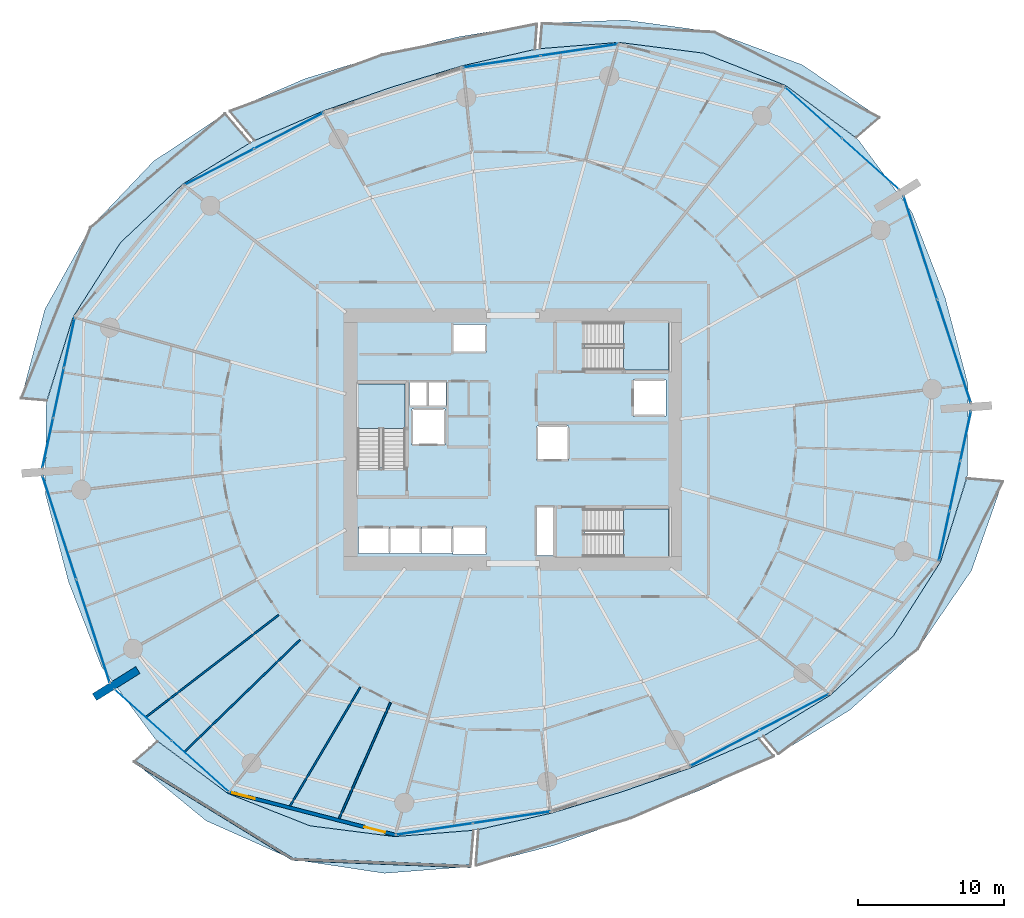
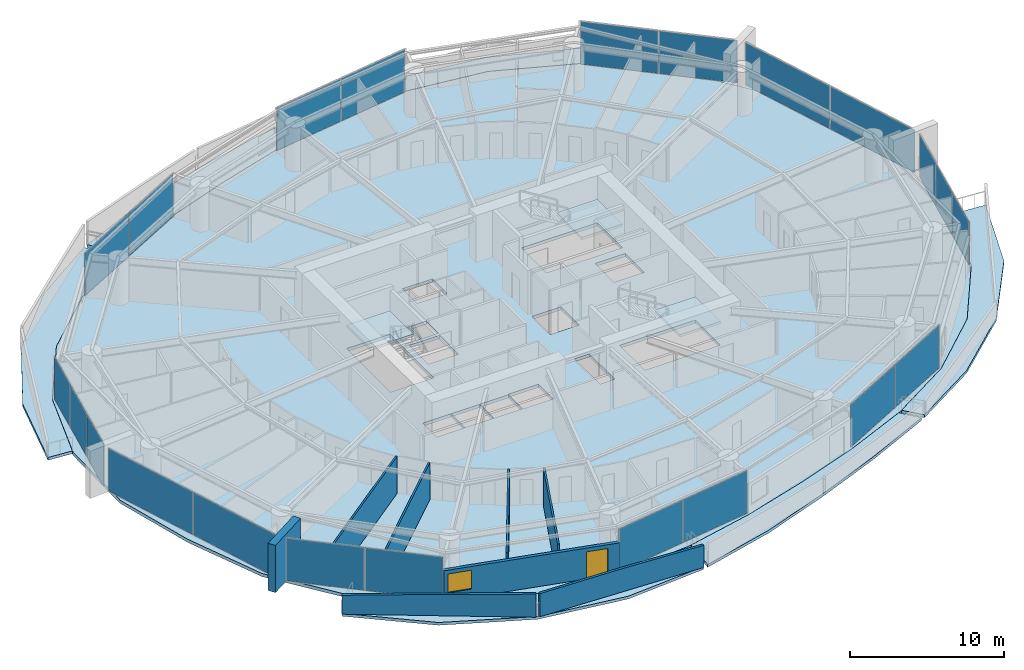
# One storey, part 18 of 31: 22 plates, 10 slabs, 8 walls, 1 door, 1 window, 2 openings, 13 elements without a shape of their own.
"""IFC4 building model written with IfcOpenShell, lengths in metres."""

import ifcopenshell
import ifcopenshell.guid

model = None  # the IFC model being written
_history = None  # IfcOwnerHistory: only IFC2X3 demands one
_inside = {}  # id of a spatial element -> (the spatial element, [elements in it])
_under = {}  # id of a project, library or spatial element -> (it, [spatial elements below it])
_declared = {}  # id of a project -> (the project, [libraries it declares])
_typed = {}  # id of a type object -> (the type object, [elements of that type])
_made_of = {}  # id of a material, layer set ... -> (it, [elements and type objects made of it])


def new_model(schema):
    """Start an empty IFC model of exactly this schema.

    Asked for "IFC4X3", IfcOpenShell would pick the latest addendum, in which some entities
    have other attributes; the version numbers below select the first issue.
    IFC2X3 requires an IfcOwnerHistory on every rooted entity: one is made here for all.
    """
    global model, _history
    if schema == "IFC4X3":
        model = ifcopenshell.file(schema_version=(4, 3, 0, 0))
    else:
        model = ifcopenshell.file(schema=schema)
    _inside.clear()
    _under.clear()
    _declared.clear()
    _typed.clear()
    _made_of.clear()
    _history = None
    if model.schema == "IFC2X3":
        org = make("IfcOrganization", Name="unknown")
        user = make(
            "IfcPersonAndOrganization",
            ThePerson=make("IfcPerson", FamilyName="unknown"),
            TheOrganization=org,
        )
        app = make(
            "IfcApplication",
            ApplicationDeveloper=org,
            Version="unknown",
            ApplicationFullName="unknown",
            ApplicationIdentifier="unknown",
        )
        _history = make(
            "IfcOwnerHistory",
            OwningUser=user,
            OwningApplication=app,
            ChangeAction="ADDED",
            CreationDate=0,
        )
    return model


def make(cls, **values):
    """One entity of the class cls with the attributes given. An attribute that is None is left unset."""
    return model.create_entity(
        cls, **{name: value for name, value in values.items() if value is not None}
    )


def rooted(cls, **values):
    """An entity with a GlobalId (a new one), such as an element, a storey or a relation."""
    return make(cls, GlobalId=ifcopenshell.guid.new(), OwnerHistory=_history, **values)


def si_unit(unit_type, name, prefix=None):
    """IfcSIUnit, for example si_unit("LENGTHUNIT", "METRE", prefix="MILLI")."""
    return make("IfcSIUnit", UnitType=unit_type, Prefix=prefix, Name=name)


def assignment(units):
    """IfcUnitAssignment: the units of a project."""
    return None if units is None else make("IfcUnitAssignment", Units=units)


def point(xyz):
    """IfcCartesianPoint."""
    return None if xyz is None else make("IfcCartesianPoint", Coordinates=xyz)


def direction(xyz):
    """IfcDirection."""
    return None if xyz is None else make("IfcDirection", DirectionRatios=xyz)


def frame(location, z_axis=None, x_axis=None):
    """IfcAxis2Placement3D, a coordinate frame: its origin and axes. An axis left out is left unset."""
    return make(
        "IfcAxis2Placement3D",
        Location=point(location),
        Axis=direction(z_axis),
        RefDirection=direction(x_axis),
    )


def frame_2d(location, x_axis=None):
    """IfcAxis2Placement2D, a coordinate frame in the plane: its origin and x axis."""
    return make(
        "IfcAxis2Placement2D", Location=point(location), RefDirection=direction(x_axis)
    )


def origin():
    """The frame at (0, 0, 0) with its axes left unset."""
    return frame((0.0, 0.0, 0.0))


def origin_2d():
    """The frame at (0, 0) in the plane with its x axis left unset."""
    return frame_2d((0.0, 0.0))


def place(relative_to, where):
    """IfcLocalPlacement: puts the frame where relative to a parent placement (None: the world)."""
    return make(
        "IfcLocalPlacement", PlacementRelTo=relative_to, RelativePlacement=where
    )


def context(
    kind, dimensions, precision=None, world=None, true_north=None, identifier=None
):
    """IfcGeometricRepresentationContext, for example the 3D "Model" context."""
    return make(
        "IfcGeometricRepresentationContext",
        ContextIdentifier=identifier,
        ContextType=kind,
        CoordinateSpaceDimension=dimensions,
        Precision=precision,
        WorldCoordinateSystem=world,
        TrueNorth=true_north,
    )


def subcontext(parent, identifier, kind, view, scale=None):
    """IfcGeometricRepresentationSubContext, for example "Body" below "Model"."""
    return make(
        "IfcGeometricRepresentationSubContext",
        ContextIdentifier=identifier,
        ContextType=kind,
        ParentContext=parent,
        TargetScale=scale,
        TargetView=view,
    )


def project(units=None, contexts=None):
    """IfcProject with its units and contexts."""
    return rooted(
        "IfcProject",
        Name="project",
        RepresentationContexts=contexts,
        UnitsInContext=assignment(units),
    )


def spatial(cls, under=None, at=None, **own):
    """A site, building, storey or space (cls), placed at a placement, below another one or the project."""
    s = rooted(cls, ObjectPlacement=at, **own)
    if under is not None:
        _under.setdefault(under.id(), (under, []))[1].append(s)
    return s


def polyline(points):
    """IfcPolyline through the points."""
    return make("IfcPolyline", Points=[point(p) for p in points])


def profile(cls, at=None, kind="AREA", **sizes):
    """A parametric profile (cls). Its sizes go by their IFC names, for example OverallWidth=200.0."""
    return make(cls, ProfileType=kind, Position=at, **sizes)


def rectangle(**sizes):
    """IfcRectangleProfileDef."""
    return profile("IfcRectangleProfileDef", **sizes)


def outline(outer, holes=None, kind="AREA"):
    """IfcArbitraryClosedProfileDef: a profile drawn as a closed curve; with holes, ...WithVoids."""
    if holes is None:
        return make("IfcArbitraryClosedProfileDef", ProfileType=kind, OuterCurve=outer)
    return make(
        "IfcArbitraryProfileDefWithVoids",
        ProfileType=kind,
        OuterCurve=outer,
        InnerCurves=holes,
    )


def extrude(swept, where, along, depth):
    """IfcExtrudedAreaSolid: the profile swept, set in the frame where, extruded along a direction by depth."""
    return make(
        "IfcExtrudedAreaSolid",
        SweptArea=swept,
        Position=where,
        ExtrudedDirection=direction(along),
        Depth=depth,
    )


def shape(context_of_items, identifier, shape_type, items):
    """IfcShapeRepresentation: the items that make up one representation, for example the "Body"."""
    return make(
        "IfcShapeRepresentation",
        ContextOfItems=context_of_items,
        RepresentationIdentifier=identifier,
        RepresentationType=shape_type,
        Items=items,
    )


def material(Name=None, Category=None):
    """IfcMaterial."""
    return make("IfcMaterial", Name=Name, Category=Category)


def layer(
    of_material, thickness, ventilated=None, Name=None, Category=None, Priority=None
):
    """IfcMaterialLayer: one layer of a wall or slab, of a material (None: an air gap)."""
    return make(
        "IfcMaterialLayer",
        Material=of_material,
        LayerThickness=thickness,
        IsVentilated=ventilated,
        Name=Name,
        Category=Category,
        Priority=Priority,
    )


def layer_set(layers, Name=None):
    """IfcMaterialLayerSet."""
    return make("IfcMaterialLayerSet", MaterialLayers=layers, LayerSetName=Name)


def made_of(thing, what):
    """Note that an element or type object is made of a material, layer set ...; save() writes the relation."""
    if what is not None:
        _made_of.setdefault(what.id(), (what, []))[1].append(thing)
    return thing


def type_object(cls, material=None, **own):
    """A type object (cls), such as IfcWallType, which elements share."""
    return made_of(rooted(cls, **own), material)


def element(
    cls,
    number,
    at=None,
    inside=None,
    cuts=None,
    type_object=None,
    material=None,
    context=None,
    identifier="Body",
    shape_type=None,
    held_by="IfcProductDefinitionShape",
    body=None,
    shapes=None,
    **own,
):
    """One element of the class cls, such as IfcWall. Its Tag is "e" and its number.

    at: its placement. inside: the storey or other place that contains it. cuts: it is an
    opening in that element (IfcRelVoidsElement). A single representation is given by context,
    identifier, shape_type and body (its items); several are given by shapes. held_by: the class
    of the entity that holds the representations. save() writes the other relations.
    """
    e = rooted(cls, Tag="e%d" % number, ObjectPlacement=at, **own)
    if body is not None:
        shapes = [shape(context, identifier, shape_type, body)]
    if shapes is not None:
        e.Representation = make(held_by, Representations=shapes)
    if inside is not None:
        _inside.setdefault(inside.id(), (inside, []))[1].append(e)
    if cuts is not None:
        rooted(
            "IfcRelVoidsElement", RelatingBuildingElement=cuts, RelatedOpeningElement=e
        )
    if type_object is not None:
        _typed.setdefault(type_object.id(), (type_object, []))[1].append(e)
    return made_of(e, material)


def fill(opening, filler):
    """IfcRelFillsElement: the door or window that sits in an opening."""
    return rooted(
        "IfcRelFillsElement",
        RelatingOpeningElement=opening,
        RelatedBuildingElement=filler,
    )


def aggregate(whole, parts):
    """IfcRelAggregates: a whole, such as a stair, and the parts it consists of."""
    return rooted("IfcRelAggregates", RelatingObject=whole, RelatedObjects=parts)


def save(model, path):
    """Write the relations noted so far, then the file.

    IfcRelAggregates (storeys below a building ...), IfcRelContainedInSpatialStructure (elements
    in a storey), IfcRelDefinesByType, IfcRelAssociatesMaterial and IfcRelDeclares: one each for
    every whole, place, type object, material and project.
    """
    for whole, parts in _under.values():
        aggregate(whole, parts)
    for where, things in _inside.values():
        rooted(
            "IfcRelContainedInSpatialStructure",
            RelatedElements=things,
            RelatingStructure=where,
        )
    for kind, things in _typed.values():
        rooted("IfcRelDefinesByType", RelatedObjects=things, RelatingType=kind)
    for what, things in _made_of.values():
        rooted("IfcRelAssociatesMaterial", RelatedObjects=things, RelatingMaterial=what)
    for by, libraries in _declared.values():
        rooted("IfcRelDeclares", RelatingContext=by, RelatedDefinitions=libraries)
    model.write(path)


model = new_model("IFC4")

# Units and contexts
model_context = context("Model", 3, precision=1e-05, world=origin(), true_north=direction((0.0, 1.0)))
body_context = subcontext(model_context, "Body", "Model", "MODEL_VIEW")
ifc_project = project(units=[si_unit("LENGTHUNIT", "METRE"), si_unit("AREAUNIT", "SQUARE_METRE"), si_unit("VOLUMEUNIT", "CUBIC_METRE"), si_unit("PLANEANGLEUNIT", "RADIAN"), si_unit("MASSUNIT", "GRAM", prefix="KILO")], contexts=[model_context])

# Site, building, storey
site_placement = place(None, origin())
site = spatial("IfcSite", under=ifc_project, at=site_placement, CompositionType="ELEMENT")
building_placement = place(site_placement, origin())
building = spatial("IfcBuilding", under=site, at=building_placement, Name="Kazma Halo Residences", CompositionType="ELEMENT")
storey_placement = place(building_placement, frame((0.0, 0.0, 52.64990234375)))
storey = spatial("IfcBuildingStorey", under=building, at=storey_placement, Name="L12", CompositionType="ELEMENT", Elevation=52.64990234375)

# Curtain wall, plates
ifc_material_1 = material(Name="Aluminium AW-6063 T6 and Triple-Silver Low-E Glass", Category="aluminium")
ifc_layer_1 = layer(ifc_material_1, 0.159912109375)
ifc_layer_set_1 = layer_set([ifc_layer_1], Name="Aluminium AW-6063 T6 and Triple-Silver Low-E Glass")
curtain_wall_type = type_object("IfcCurtainWallType", Name="CW-SYS-2", PredefinedType="NOTDEFINED", material=ifc_layer_set_1)
curtain_wall_1_placement = place(storey_placement, origin())
curtain_wall_1 = element("IfcCurtainWall", 1, at=curtain_wall_1_placement, inside=storey, type_object=curtain_wall_type, Name="L12 unitised curtain wall B01", PredefinedType="NOTDEFINED")
ifc_material_2 = material(Name="Clear Triple-Silver Low-E Glass IGU", Category="glass")
ifc_layer_2 = layer(ifc_material_2, 0.028076171875)
ifc_layer_set_2 = layer_set([ifc_layer_2], Name="Clear Triple-Silver Low-E Glass IGU")
plate_type = type_object("IfcPlateType", Name="CW-SYS-2-PNL", PredefinedType="CURTAIN_PANEL", material=ifc_layer_set_2)
plate_1_placement = place(storey_placement, frame((72.876953125, 60.841064453125, 0.06005859375), z_axis=(0.0, 0.0, 1.0), x_axis=(-0.744321506993, 0.667821453854, 0.0)))
plate_1 = element("IfcPlate", 2, at=plate_1_placement, type_object=plate_type, Name="CWS-2 panel 1.1", PredefinedType="CURTAIN_PANEL", context=body_context, shape_type="SweptSolid", body=[
    extrude(rectangle(XDim=5.1787109375, YDim=0.028076171875, at=origin_2d()), origin(), (0.0, 0.0, 1.0), 3.3798828125),
])
plate_2_placement = place(storey_placement, frame((68.977783203125, 64.33935546875, 0.06005859375), z_axis=(0.0, 0.0, 1.0), x_axis=(-0.744321506993, 0.667821453854, 0.0)))
plate_2 = element("IfcPlate", 3, at=plate_2_placement, type_object=plate_type, Name="CWS-2 panel 2.1", PredefinedType="CURTAIN_PANEL", context=body_context, shape_type="SweptSolid", body=[
    extrude(rectangle(XDim=5.1787109375, YDim=0.028076171875, at=origin_2d()), origin(), (0.0, 0.0, 1.0), 3.3798828125),
])
aggregate(curtain_wall_1, [plate_1, plate_2])

curtain_wall_2_placement = place(storey_placement, origin())
curtain_wall_2 = element("IfcCurtainWall", 4, at=curtain_wall_2_placement, inside=storey, type_object=curtain_wall_type, Name="L12 unitised curtain wall B03", PredefinedType="NOTDEFINED")
plate_3_placement = place(storey_placement, frame((52.952392578125, 68.64013671875, 0.06005859375), z_axis=(0.0, 0.0, 1.0), x_axis=(-0.988888777994, -0.148657272805, 0.0)))
plate_3 = element("IfcPlate", 5, at=plate_3_placement, type_object=plate_type, Name="CWS-2 panel 1.1", PredefinedType="CURTAIN_PANEL", context=body_context, shape_type="SweptSolid", body=[
    extrude(rectangle(XDim=5.288818359375, YDim=0.028076171875, at=origin_2d()), origin(), (0.0, 0.0, 1.0), 3.3798828125),
])
plate_4_placement = place(storey_placement, frame((47.662841796875, 67.844970703125, 0.06005859375), z_axis=(0.0, 0.0, 1.0), x_axis=(-0.988888777994, -0.148657272805, 0.0)))
plate_4 = element("IfcPlate", 6, at=plate_4_placement, type_object=plate_type, Name="CWS-2 panel 2.1", PredefinedType="CURTAIN_PANEL", context=body_context, shape_type="SweptSolid", body=[
    extrude(rectangle(XDim=5.288818359375, YDim=0.028076171875, at=origin_2d()), origin(), (0.0, 0.0, 1.0), 3.3798828125),
])
aggregate(curtain_wall_2, [plate_3, plate_4])

curtain_wall_3_placement = place(storey_placement, origin())
curtain_wall_3 = element("IfcCurtainWall", 7, at=curtain_wall_3_placement, inside=storey, type_object=curtain_wall_type, Name="L12 unitised curtain wall B05", PredefinedType="NOTDEFINED")
plate_5_placement = place(storey_placement, frame((33.081298828125, 63.107177734375, 0.06005859375), z_axis=(0.0, 0.0, 1.0), x_axis=(-0.887402258584, -0.460995912628, 0.0)))
plate_5 = element("IfcPlate", 8, at=plate_5_placement, type_object=plate_type, Name="CWS-2 panel 1.1", PredefinedType="CURTAIN_PANEL", context=body_context, shape_type="SweptSolid", body=[
    extrude(rectangle(XDim=5.288818359375, YDim=0.028076171875, at=origin_2d()), origin(), (0.0, 0.0, 1.0), 3.3798828125),
])
plate_6_placement = place(storey_placement, frame((28.334716796875, 60.641357421875, 0.06005859375), z_axis=(0.0, 0.0, 1.0), x_axis=(-0.887402258584, -0.460995912628, 0.0)))
plate_6 = element("IfcPlate", 9, at=plate_6_placement, type_object=plate_type, Name="CWS-2 panel 2.1", PredefinedType="CURTAIN_PANEL", context=body_context, shape_type="SweptSolid", body=[
    extrude(rectangle(XDim=5.288818359375, YDim=0.028076171875, at=origin_2d()), origin(), (0.0, 0.0, 1.0), 3.3798828125),
])
aggregate(curtain_wall_3, [plate_5, plate_6])

curtain_wall_4_placement = place(storey_placement, origin())
curtain_wall_4 = element("IfcCurtainWall", 10, at=curtain_wall_4_placement, inside=storey, type_object=curtain_wall_type, Name="L12 unitised curtain wall B07", PredefinedType="NOTDEFINED")
plate_7_placement = place(storey_placement, frame((18.08203125, 48.60107421875, 0.06005859375), z_axis=(0.0, 0.0, 1.0), x_axis=(-0.209637321406, -0.977779215096, 0.0)))
plate_7 = element("IfcPlate", 11, at=plate_7_placement, type_object=plate_type, Name="CWS-2 panel 1.1", PredefinedType="CURTAIN_PANEL", context=body_context, shape_type="SweptSolid", body=[
    extrude(rectangle(XDim=3.42236328125, YDim=0.028076171875, at=origin_2d()), origin(), (0.0, 0.0, 1.0), 3.3798828125),
])
plate_8_placement = place(storey_placement, frame((17.348876953125, 45.181396484375, 0.06005859375), z_axis=(0.0, 0.0, 1.0), x_axis=(-0.209637321406, -0.977779215096, 0.0)))
plate_8 = element("IfcPlate", 12, at=plate_8_placement, type_object=plate_type, Name="CWS-2 panel 2.1", PredefinedType="CURTAIN_PANEL", context=body_context, shape_type="SweptSolid", body=[
    extrude(rectangle(XDim=3.452392578125, YDim=0.028076171875, at=origin_2d()), origin(), (0.0, 0.0, 1.0), 3.3798828125),
])
plate_9_placement = place(storey_placement, frame((16.61572265625, 41.76171875, 0.06005859375), z_axis=(0.0, 0.0, 1.0), x_axis=(-0.209637321406, -0.977779215096, 0.0)))
plate_9 = element("IfcPlate", 13, at=plate_9_placement, type_object=plate_type, Name="CWS-2 panel 3.1", PredefinedType="CURTAIN_PANEL", context=body_context, shape_type="SweptSolid", body=[
    extrude(rectangle(XDim=3.42236328125, YDim=0.028076171875, at=origin_2d()), origin(), (0.0, 0.0, 1.0), 3.3798828125),
])
aggregate(curtain_wall_4, [plate_7, plate_8, plate_9])

curtain_wall_5_placement = place(storey_placement, origin())
curtain_wall_5 = element("IfcCurtainWall", 14, at=curtain_wall_5_placement, inside=storey, type_object=curtain_wall_type, Name="L12 unitised curtain wall B08", PredefinedType="NOTDEFINED")
plate_10_placement = place(storey_placement, frame((17.409912109375, 35.96728515625, 0.06005859375), z_axis=(0.0, 0.0, 1.0), x_axis=(0.309016970539, -0.95105652404, 0.0)))
plate_10 = element("IfcPlate", 15, at=plate_10_placement, type_object=plate_type, Name="CWS-2 panel 1.1", PredefinedType="CURTAIN_PANEL", context=body_context, shape_type="SweptSolid", body=[
    extrude(rectangle(XDim=7.370849609375, YDim=0.028076171875, at=origin_2d()), origin(), (0.0, 0.0, 1.0), 3.3798828125),
])
plate_11_placement = place(storey_placement, frame((19.7060546875, 28.900146484375, 0.06005859375), z_axis=(0.0, 0.0, 1.0), x_axis=(0.309016970539, -0.95105652404, 0.0)))
plate_11 = element("IfcPlate", 16, at=plate_11_placement, type_object=plate_type, Name="CWS-2 panel 2.1", PredefinedType="CURTAIN_PANEL", context=body_context, shape_type="SweptSolid", body=[
    extrude(rectangle(XDim=7.370849609375, YDim=0.028076171875, at=origin_2d()), origin(), (0.0, 0.0, 1.0), 3.3798828125),
])
aggregate(curtain_wall_5, [plate_10, plate_11])

curtain_wall_6_placement = place(storey_placement, origin())
curtain_wall_6 = element("IfcCurtainWall", 17, at=curtain_wall_6_placement, inside=storey, type_object=curtain_wall_type, Name="L12 unitised curtain wall B09", PredefinedType="NOTDEFINED")
plate_12_placement = place(storey_placement, frame((23.123046875, 23.158935546875, 0.06005859375), z_axis=(0.0, 0.0, 1.0), x_axis=(0.744321506993, -0.667821453854, 0.0)))
plate_12 = element("IfcPlate", 18, at=plate_12_placement, type_object=plate_type, Name="CWS-2 panel 1.1", PredefinedType="CURTAIN_PANEL", context=body_context, shape_type="SweptSolid", body=[
    extrude(rectangle(XDim=5.1787109375, YDim=0.028076171875, at=origin_2d()), origin(), (0.0, 0.0, 1.0), 3.3798828125),
])
plate_13_placement = place(storey_placement, frame((27.022216796875, 19.66064453125, 0.06005859375), z_axis=(0.0, 0.0, 1.0), x_axis=(0.744321506993, -0.667821453854, 0.0)))
plate_13 = element("IfcPlate", 19, at=plate_13_placement, type_object=plate_type, Name="CWS-2 panel 2.1", PredefinedType="CURTAIN_PANEL", context=body_context, shape_type="SweptSolid", body=[
    extrude(rectangle(XDim=5.1787109375, YDim=0.028076171875, at=origin_2d()), origin(), (0.0, 0.0, 1.0), 3.3798828125),
])
aggregate(curtain_wall_6, [plate_12, plate_13])

curtain_wall_7_placement = place(storey_placement, origin())
curtain_wall_7 = element("IfcCurtainWall", 20, at=curtain_wall_7_placement, inside=storey, type_object=curtain_wall_type, Name="L12 unitised curtain wall B11", PredefinedType="NOTDEFINED")
plate_14_placement = place(storey_placement, frame((43.047607421875, 15.35986328125, 0.06005859375), z_axis=(0.0, 0.0, 1.0), x_axis=(0.988888777994, 0.148657272805, 0.0)))
plate_14 = element("IfcPlate", 21, at=plate_14_placement, type_object=plate_type, Name="CWS-2 panel 1.1", PredefinedType="CURTAIN_PANEL", context=body_context, shape_type="SweptSolid", body=[
    extrude(rectangle(XDim=5.288818359375, YDim=0.028076171875, at=origin_2d()), origin(), (0.0, 0.0, 1.0), 3.3798828125),
])
plate_15_placement = place(storey_placement, frame((48.337158203125, 16.155029296875, 0.06005859375), z_axis=(0.0, 0.0, 1.0), x_axis=(0.988888777994, 0.148657272805, 0.0)))
plate_15 = element("IfcPlate", 22, at=plate_15_placement, type_object=plate_type, Name="CWS-2 panel 2.1", PredefinedType="CURTAIN_PANEL", context=body_context, shape_type="SweptSolid", body=[
    extrude(rectangle(XDim=5.288818359375, YDim=0.028076171875, at=origin_2d()), origin(), (0.0, 0.0, 1.0), 3.3798828125),
])
aggregate(curtain_wall_7, [plate_14, plate_15])

curtain_wall_8_placement = place(storey_placement, origin())
curtain_wall_8 = element("IfcCurtainWall", 23, at=curtain_wall_8_placement, inside=storey, type_object=curtain_wall_type, Name="L12 unitised curtain wall B13", PredefinedType="NOTDEFINED")
plate_16_placement = place(storey_placement, frame((62.918701171875, 20.892822265625, 0.06005859375), z_axis=(0.0, 0.0, 1.0), x_axis=(0.887402258584, 0.460995912628, 0.0)))
plate_16 = element("IfcPlate", 24, at=plate_16_placement, type_object=plate_type, Name="CWS-2 panel 1.1", PredefinedType="CURTAIN_PANEL", context=body_context, shape_type="SweptSolid", body=[
    extrude(rectangle(XDim=5.288818359375, YDim=0.028076171875, at=origin_2d()), origin(), (0.0, 0.0, 1.0), 3.3798828125),
])
plate_17_placement = place(storey_placement, frame((67.665283203125, 23.358642578125, 0.06005859375), z_axis=(0.0, 0.0, 1.0), x_axis=(0.887402258584, 0.460995912628, 0.0)))
plate_17 = element("IfcPlate", 25, at=plate_17_placement, type_object=plate_type, Name="CWS-2 panel 2.1", PredefinedType="CURTAIN_PANEL", context=body_context, shape_type="SweptSolid", body=[
    extrude(rectangle(XDim=5.288818359375, YDim=0.028076171875, at=origin_2d()), origin(), (0.0, 0.0, 1.0), 3.3798828125),
])
aggregate(curtain_wall_8, [plate_16, plate_17])

curtain_wall_9_placement = place(storey_placement, origin())
curtain_wall_9 = element("IfcCurtainWall", 26, at=curtain_wall_9_placement, inside=storey, type_object=curtain_wall_type, Name="L12 unitised curtain wall B15", PredefinedType="NOTDEFINED")
plate_18_placement = place(storey_placement, frame((77.91796875, 35.39892578125, 0.06005859375), z_axis=(0.0, 0.0, 1.0), x_axis=(0.209637321406, 0.977779215096, 0.0)))
plate_18 = element("IfcPlate", 27, at=plate_18_placement, type_object=plate_type, Name="CWS-2 panel 1.1", PredefinedType="CURTAIN_PANEL", context=body_context, shape_type="SweptSolid", body=[
    extrude(rectangle(XDim=3.42236328125, YDim=0.028076171875, at=origin_2d()), origin(), (0.0, 0.0, 1.0), 3.3798828125),
])
plate_19_placement = place(storey_placement, frame((78.651123046875, 38.818603515625, 0.06005859375), z_axis=(0.0, 0.0, 1.0), x_axis=(0.209637321406, 0.977779215096, 0.0)))
plate_19 = element("IfcPlate", 28, at=plate_19_placement, type_object=plate_type, Name="CWS-2 panel 2.1", PredefinedType="CURTAIN_PANEL", context=body_context, shape_type="SweptSolid", body=[
    extrude(rectangle(XDim=3.452392578125, YDim=0.028076171875, at=origin_2d()), origin(), (0.0, 0.0, 1.0), 3.3798828125),
])
plate_20_placement = place(storey_placement, frame((79.38427734375, 42.23828125, 0.06005859375), z_axis=(0.0, 0.0, 1.0), x_axis=(0.209637321406, 0.977779215096, 0.0)))
plate_20 = element("IfcPlate", 29, at=plate_20_placement, type_object=plate_type, Name="CWS-2 panel 3.1", PredefinedType="CURTAIN_PANEL", context=body_context, shape_type="SweptSolid", body=[
    extrude(rectangle(XDim=3.42236328125, YDim=0.028076171875, at=origin_2d()), origin(), (0.0, 0.0, 1.0), 3.3798828125),
])
aggregate(curtain_wall_9, [plate_18, plate_19, plate_20])

curtain_wall_10_placement = place(storey_placement, origin())
curtain_wall_10 = element("IfcCurtainWall", 30, at=curtain_wall_10_placement, inside=storey, type_object=curtain_wall_type, Name="L12 unitised curtain wall B16", PredefinedType="NOTDEFINED")
plate_21_placement = place(storey_placement, frame((78.590087890625, 48.03271484375, 0.06005859375), z_axis=(0.0, 0.0, 1.0), x_axis=(-0.309016970539, 0.95105652404, 0.0)))
plate_21 = element("IfcPlate", 31, at=plate_21_placement, type_object=plate_type, Name="CWS-2 panel 1.1", PredefinedType="CURTAIN_PANEL", context=body_context, shape_type="SweptSolid", body=[
    extrude(rectangle(XDim=7.370849609375, YDim=0.028076171875, at=origin_2d()), origin(), (0.0, 0.0, 1.0), 3.3798828125),
])
plate_22_placement = place(storey_placement, frame((76.2939453125, 55.099853515625, 0.06005859375), z_axis=(0.0, 0.0, 1.0), x_axis=(-0.309016970539, 0.95105652404, 0.0)))
plate_22 = element("IfcPlate", 32, at=plate_22_placement, type_object=plate_type, Name="CWS-2 panel 2.1", PredefinedType="CURTAIN_PANEL", context=body_context, shape_type="SweptSolid", body=[
    extrude(rectangle(XDim=7.370849609375, YDim=0.028076171875, at=origin_2d()), origin(), (0.0, 0.0, 1.0), 3.3798828125),
])
aggregate(curtain_wall_10, [plate_21, plate_22])

# Slabs
ifc_material_3 = material(Name="White Concrete C50/60", Category="concrete")
ifc_layer_3 = layer(ifc_material_3, 0.219970703125)
ifc_layer_set_3 = layer_set([ifc_layer_3], Name="White Concrete C50/60")
slab_type_1 = type_object("IfcSlabType", Name="SLB-BAL-WAVE-210", PredefinedType="FLOOR", material=ifc_layer_set_3)
slab_1_placement = place(storey_placement, frame((0.0, 0.0, -0.219970703125)))
element("IfcSlab", 33, at=slab_1_placement, inside=storey, type_object=slab_type_1, Name="L12 NE cantilevered wave balcony slab", PredefinedType="FLOOR", context=body_context, shape_type="SweptSolid", body=[
    extrude(outline(polyline([(71.875732421875, 62.645263671875), (67.081298828125, 66.20458984375), (61.461669921875, 68.420166015625), (55.659912109375, 69.15966796875), (50.26806640625, 68.729736328125), (50.414794921875, 70.459716796875), (56.0908203125, 70.68798828125), (62.196044921875, 69.861328125), (68.201416015625, 67.625244140625), (73.473388671875, 64.02685546875), (71.875732421875, 62.645263671875)])), origin(), (0.0, 0.0, 1.0), 0.219970703125),
])
slab_2_placement = place(storey_placement, frame((0.0, 0.0, -0.219970703125)))
element("IfcSlab", 34, at=slab_2_placement, inside=storey, type_object=slab_type_1, Name="L12 NNW cantilevered wave balcony slab", PredefinedType="FLOOR", context=body_context, shape_type="SweptSolid", body=[
    extrude(outline(polyline([(49.935791015625, 68.679931640625), (44.974365234375, 67.564208984375), (40.165771484375, 66.111083984375), (35.421630859375, 64.460205078125), (30.751708984375, 62.44677734375), (29.058837890625, 64.45361328125), (34.185302734375, 66.668212890625), (39.4560546875, 68.2958984375), (44.739501953125, 69.546875), (50.06201171875, 70.419921875), (49.935791015625, 68.679931640625)])), origin(), (0.0, 0.0, 1.0), 0.219970703125),
])
slab_3_placement = place(storey_placement, frame((0.0, 0.0, -0.219970703125)))
element("IfcSlab", 35, at=slab_3_placement, inside=storey, type_object=slab_type_1, Name="L12 NW cantilevered wave balcony slab", PredefinedType="FLOOR", context=body_context, shape_type="SweptSolid", body=[
    extrude(outline(polyline([(30.453857421875, 62.29150390625), (25.839111328125, 59.47021484375), (21.579833984375, 55.461669921875), (18.3359375, 50.3662109375), (16.54931640625, 44.668701171875), (14.794677734375, 44.8173828125), (16.414306640625, 50.908203125), (19.533203125, 56.50439453125), (23.851806640625, 61.036865234375), (28.733154296875, 64.281494140625), (30.453857421875, 62.29150390625)])), origin(), (0.0, 0.0, 1.0), 0.219970703125),
])
slab_4_placement = place(storey_placement, frame((0.0, 0.0, -0.219970703125)))
element("IfcSlab", 36, at=slab_4_placement, inside=storey, type_object=slab_type_1, Name="L12 SW cantilevered wave balcony slab", PredefinedType="FLOOR", context=body_context, shape_type="SweptSolid", body=[
    extrude(outline(polyline([(24.124267578125, 21.354736328125), (28.918701171875, 17.79541015625), (34.538330078125, 15.579833984375), (40.340087890625, 14.84033203125), (45.73193359375, 15.270263671875), (45.52197265625, 12.794189453125), (39.63232421875, 12.330322265625), (33.36767578125, 13.282470703125), (27.44091796875, 15.9208984375), (22.51220703125, 19.960693359375), (24.124267578125, 21.354736328125)])), origin(), (0.0, 0.0, 1.0), 0.219970703125),
])
slab_5_placement = place(storey_placement, frame((0.0, 0.0, -0.219970703125)))
element("IfcSlab", 37, at=slab_5_placement, inside=storey, type_object=slab_type_1, Name="L12 SSE cantilevered wave balcony slab", PredefinedType="FLOOR", context=body_context, shape_type="SweptSolid", body=[
    extrude(outline(polyline([(46.064208984375, 15.320068359375), (51.025634765625, 16.435791015625), (55.834228515625, 17.888916015625), (60.578369140625, 19.539794921875), (65.248291015625, 21.55322265625), (66.2705078125, 20.34130859375), (61.392333984375, 18.08642578125), (56.4208984375, 16.082763671875), (51.2841796875, 14.251708984375), (45.8857421875, 12.860107421875), (46.064208984375, 15.320068359375)])), origin(), (0.0, 0.0, 1.0), 0.219970703125),
])
slab_6_placement = place(storey_placement, frame((0.0, 0.0, -0.219970703125)))
element("IfcSlab", 38, at=slab_6_placement, inside=storey, type_object=slab_type_1, Name="L12 SE cantilevered wave balcony slab", PredefinedType="FLOOR", context=body_context, shape_type="SweptSolid", body=[
    extrude(outline(polyline([(65.546142578125, 21.70849609375), (70.160888671875, 24.52978515625), (74.420166015625, 28.538330078125), (77.6640625, 33.6337890625), (79.45068359375, 39.331298828125), (81.924560546875, 39.12158203125), (79.781005859375, 33.036865234375), (76.1123046875, 27.676025390625), (71.468994140625, 23.49853515625), (66.586669921875, 20.505126953125), (65.546142578125, 21.70849609375)])), origin(), (0.0, 0.0, 1.0), 0.219970703125),
])
ifc_material_4 = material(Name="Concrete C50/60", Category="concrete")
ifc_layer_4 = layer(ifc_material_4, 0.25)
ifc_layer_set_4 = layer_set([ifc_layer_4], Name="Concrete C50/60")
slab_type_2 = type_object("IfcSlabType", Name="SLB-RES-250", PredefinedType="FLOOR", material=ifc_layer_set_4)
slab_7_placement = place(storey_placement, frame((0.0, 0.0, -0.25)))
element("IfcSlab", 39, at=slab_7_placement, inside=storey, type_object=slab_type_2, Name="L12 structural floor slab", PredefinedType="FLOOR", context=body_context, shape_type="SweptSolid", body=[
    extrude(outline(polyline([(77.9677734375, 51.737060546875), (75.719970703125, 57.52392578125), (72.02099609375, 62.51611328125), (67.080078125, 66.202880859375), (61.460693359375, 68.418212890625), (55.6591796875, 69.15771484375), (50.102294921875, 68.713134765625), (44.974609375, 67.562255859375), (40.16650390625, 66.109375), (35.422607421875, 64.45849609375), (30.597412109375, 62.375732421875), (25.8408203125, 59.468994140625), (21.581787109375, 55.460693359375), (18.337890625, 50.365478515625), (16.507568359375, 44.478515625), (16.449462890625, 38.265625), (18.0322265625, 32.262939453125), (20.280029296875, 26.47607421875), (23.97900390625, 21.48388671875), (28.919921875, 17.797119140625), (34.539306640625, 15.581787109375), (40.3408203125, 14.84228515625), (45.897705078125, 15.286865234375), (51.025390625, 16.437744140625), (55.83349609375, 17.890625), (60.577392578125, 19.54150390625), (65.402587890625, 21.624267578125), (70.1591796875, 24.531005859375), (74.418212890625, 28.539306640625), (77.662109375, 33.634521484375), (79.492431640625, 39.521484375), (79.550537109375, 45.734375), (77.9677734375, 51.737060546875)]), holes=[polyline([(37.800048828125, 40.110107421875), (41.050048828125, 40.110107421875), (41.050048828125, 45.800048828125), (37.800048828125, 45.800048828125), (37.800048828125, 40.110107421875)]), polyline([(53.360107421875, 46.75), (59.050048828125, 46.75), (59.050048828125, 50.0), (53.360107421875, 50.0), (53.360107421875, 46.75)]), polyline([(53.360107421875, 34.0), (59.050048828125, 34.0), (59.050048828125, 37.25), (53.360107421875, 37.25), (53.360107421875, 34.0)]), polyline([(41.52001953125, 41.6201171875), (43.780029296875, 41.6201171875), (43.780029296875, 44.080078125), (41.52001953125, 44.080078125), (41.52001953125, 41.6201171875)]), polyline([(56.6201171875, 43.6201171875), (58.8798828125, 43.6201171875), (58.8798828125, 46.080078125), (56.6201171875, 46.080078125), (56.6201171875, 43.6201171875)]), polyline([(37.864990234375, 34.195068359375), (39.97509765625, 34.195068359375), (39.97509765625, 36.0048828125), (37.864990234375, 36.0048828125), (37.864990234375, 34.195068359375)]), polyline([(40.014892578125, 34.195068359375), (42.125, 34.195068359375), (42.125, 36.0048828125), (40.014892578125, 36.0048828125), (40.014892578125, 34.195068359375)]), polyline([(42.1650390625, 34.195068359375), (44.27490234375, 34.195068359375), (44.27490234375, 36.0048828125), (42.1650390625, 36.0048828125), (42.1650390625, 34.195068359375)]), polyline([(44.320068359375, 47.945068359375), (46.580078125, 47.945068359375), (46.580078125, 49.85498046875), (44.320068359375, 49.85498046875), (44.320068359375, 47.945068359375)]), polyline([(44.320068359375, 34.14501953125), (46.580078125, 34.14501953125), (46.580078125, 36.054931640625), (44.320068359375, 36.054931640625), (44.320068359375, 34.14501953125)]), polyline([(50.070068359375, 40.570068359375), (52.22998046875, 40.570068359375), (52.22998046875, 42.929931640625), (50.070068359375, 42.929931640625), (50.070068359375, 40.570068359375)]), polyline([(41.360107421875, 44.340087890625), (42.5400390625, 44.340087890625), (42.5400390625, 45.89990234375), (41.360107421875, 45.89990234375), (41.360107421875, 44.340087890625)]), polyline([(42.659912109375, 44.340087890625), (43.840087890625, 44.340087890625), (43.840087890625, 45.89990234375), (42.659912109375, 45.89990234375), (42.659912109375, 44.340087890625)]), polyline([(50.06005859375, 34.080078125), (51.159912109375, 34.080078125), (51.159912109375, 37.3798828125), (50.06005859375, 37.3798828125), (50.06005859375, 34.080078125)])]), origin(), (0.0, 0.0, 1.0), 0.25),
])

# Stair, slab
stair_type = type_object("IfcStairType", Name="STR-RES1", PredefinedType="HALF_TURN_STAIR", material=ifc_material_4)
stair_1_placement = place(storey_placement, origin())
stair_1 = element("IfcStair", 40, at=stair_1_placement, inside=storey, type_object=stair_type, Name="L12 Core exit stair ST-01", PredefinedType="HALF_TURN_STAIR")
ifc_layer_5 = layer(ifc_material_4, 0.199951171875)
ifc_layer_set_5 = layer_set([ifc_layer_5], Name="Concrete C50/60")
slab_type_3 = type_object("IfcSlabType", Name="SLB-STAIR-LND-200", PredefinedType="LANDING", material=ifc_layer_set_5)
slab_8_placement = place(storey_placement, frame((0.0, 0.0, 1.675048828125)))
slab_8 = element("IfcSlab", 41, at=slab_8_placement, type_object=slab_type_3, Name="ST-01 landing 1", PredefinedType="LANDING", context=body_context, shape_type="SweptSolid", body=[
    extrude(outline(polyline([(41.050048828125, 42.75), (41.050048828125, 45.800048828125), (37.800048828125, 45.800048828125), (37.800048828125, 42.75), (41.050048828125, 42.75)])), origin(), (0.0, 0.0, 1.0), 0.199951171875),
])
aggregate(stair_1, [slab_8])

stair_2_placement = place(storey_placement, origin())
stair_2 = element("IfcStair", 42, at=stair_2_placement, inside=storey, type_object=stair_type, Name="L12 Core exit stair ST-02", PredefinedType="HALF_TURN_STAIR")
slab_9_placement = place(storey_placement, frame((0.0, 0.0, 1.675048828125)))
slab_9 = element("IfcSlab", 43, at=slab_9_placement, type_object=slab_type_3, Name="ST-02 landing 1", PredefinedType="LANDING", context=body_context, shape_type="SweptSolid", body=[
    extrude(outline(polyline([(56.0, 46.75), (59.050048828125, 46.75), (59.050048828125, 50.0), (56.0, 50.0), (56.0, 46.75)])), origin(), (0.0, 0.0, 1.0), 0.199951171875),
])
aggregate(stair_2, [slab_9])

stair_3_placement = place(storey_placement, origin())
stair_3 = element("IfcStair", 44, at=stair_3_placement, inside=storey, type_object=stair_type, Name="L12 Core exit stair ST-03", PredefinedType="HALF_TURN_STAIR")
slab_10_placement = place(storey_placement, frame((0.0, 0.0, 1.675048828125)))
slab_10 = element("IfcSlab", 45, at=slab_10_placement, type_object=slab_type_3, Name="ST-03 landing 1", PredefinedType="LANDING", context=body_context, shape_type="SweptSolid", body=[
    extrude(outline(polyline([(56.0, 34.0), (59.050048828125, 34.0), (59.050048828125, 37.25), (56.0, 37.25), (56.0, 34.0)])), origin(), (0.0, 0.0, 1.0), 0.199951171875),
])
aggregate(stair_3, [slab_10])

# Walls
ifc_material_5 = material(Name="White Concrete C50/60 Balustrade", Category="concrete")
ifc_layer_6 = layer(ifc_material_5, 0.179931640625)
ifc_layer_set_6 = layer_set([ifc_layer_6], Name="White Concrete C50/60 Balustrade")
wall_type_1 = type_object("IfcWallType", Name="WL-BAL-WAVE-180", PredefinedType="PARAPET", material=ifc_layer_set_6)
wall_1_placement = place(storey_placement, frame((22.51220703125, 19.960693359375, 0.0), z_axis=(0.0, 0.0, 1.0), x_axis=(0.851732671453, -0.523976579991, 0.0)))
element("IfcWall", 46, at=wall_1_placement, inside=storey, type_object=wall_type_1, Name="L12 white wave balustrade wall SW.1", PredefinedType="PARAPET", context=body_context, shape_type="SweptSolid", body=[
    extrude(outline(polyline([(0.0, 0.0), (12.625, 0.0), (12.625244140625, 1.83203125), (6.3125, 1.696044921875), (0.0, 1.4970703125), (0.0, 0.0)])), frame((0.0, 0.08984375, 0.0), z_axis=(0.0, -1.0, 0.0), x_axis=(1.0, 0.0, 0.0)), (0.0, 0.0, 1.0), 0.179931640625),
])
wall_2_placement = place(storey_placement, frame((33.487548828125, 13.277587890625, 0.0), z_axis=(0.0, 0.0, 1.0), x_axis=(0.999194241802, -0.040135609494, 0.0)))
element("IfcWall", 47, at=wall_2_placement, inside=storey, type_object=wall_type_1, Name="L12 white wave balustrade wall SW.2", PredefinedType="PARAPET", context=body_context, shape_type="SweptSolid", body=[
    extrude(outline(polyline([(0.0, 0.0), (12.044189453125, 0.0), (12.0439453125, 1.756103515625), (6.02197265625, 1.85302734375), (0.0, 1.83203125), (0.0, 0.0)])), frame((0.0, 0.08984375, 0.0), z_axis=(0.0, -1.0, 0.0), x_axis=(1.0, 0.0, 0.0)), (0.0, 0.0, 1.0), 0.179931640625),
])
ifc_material_6 = material(Name="Pale Concrete C60/75", Category="concrete")
ifc_layer_7 = layer(ifc_material_6, 0.550048828125)
ifc_layer_set_7 = layer_set([ifc_layer_7], Name="Pale Concrete C60/75")
wall_type_2 = type_object("IfcWallType", Name="WL-BLADE-550", PredefinedType="SOLIDWALL", material=ifc_layer_set_7)
wall_3_placement = place(storey_placement, frame((22.770263671875, 26.234619140625, 0.0), z_axis=(0.0, 0.0, 1.0), x_axis=(-0.848053161125, -0.529911158502, 0.0)))
element("IfcWall", 48, at=wall_3_placement, inside=storey, type_object=wall_type_2, Name="L12 pale concrete structural blade fin wall BW-03", PredefinedType="SOLIDWALL", context=body_context, shape_type="SweptSolid", body=[
    extrude(rectangle(XDim=3.5, YDim=0.550048828125, at=frame_2d((1.75, 0.0))), origin(), (0.0, 0.0, 1.0), 3.75),
])

# Wall, openings, door, window
ifc_material_7 = material(Name="Insulated Pale-Metal Composite Wall")
ifc_layer_8 = layer(ifc_material_7, 0.239990234375)
ifc_layer_set_8 = layer_set([ifc_layer_8], Name="Insulated Pale-Metal Composite Wall")
wall_type_3 = type_object("IfcWallType", Name="WL-EXT-HOST-240", PredefinedType="SOLIDWALL", material=ifc_layer_set_8)
wall_4_placement = place(storey_placement, frame((28.94580078125, 17.90380859375, 0.0), z_axis=(0.0, 0.0, 1.0), x_axis=(0.96833871487, -0.249640007378, 0.0)))
wall_4 = element("IfcWall", 49, at=wall_4_placement, inside=storey, type_object=wall_type_3, Name="L12 exterior terrace-access wall B10", PredefinedType="SOLIDWALL", context=body_context, shape_type="SweptSolid", body=[
    extrude(rectangle(XDim=11.85107421875, YDim=0.239990234375, at=frame_2d((5.925537109375, 0.0))), origin(), (0.0, 0.0, 1.0), 2.4501953125),
])
opening_1_placement = place(wall_4_placement, frame((9.631103515625, 0.0, 0.0)))
opening_1 = element("IfcOpeningElement", 50, at=opening_1_placement, cuts=wall_4, Name="Opening DTR-1600", PredefinedType="OPENING", context=body_context, shape_type="SweptSolid", body=[
    extrude(rectangle(XDim=1.449951171875, YDim=2.14990234375, at=frame_2d((0.72509765625, 1.074951171875))), frame((0.0, 0.1298828125, 0.0), z_axis=(0.0, -1.0, 0.0), x_axis=(1.0, 0.0, 0.0)), (0.0, 0.0, 1.0), 0.260009765625),
])
opening_2_placement = place(wall_4_placement, frame((0.280029296875, 0.0, 0.64990234375)))
opening_2 = element("IfcOpeningElement", 51, at=opening_2_placement, cuts=wall_4, Name="Opening W-1800", PredefinedType="OPENING", context=body_context, shape_type="SweptSolid", body=[
    extrude(rectangle(XDim=1.60009765625, YDim=1.5, at=frame_2d((0.800048828125, 0.75))), frame((0.0, 0.1298828125, 0.0), z_axis=(0.0, -1.0, 0.0), x_axis=(1.0, 0.0, 0.0)), (0.0, 0.0, 1.0), 0.260009765625),
])
ifc_material_8 = material(Name="Aluminium AW-6063 T6 Double-Glazed Terrace Door", Category="aluminium")
door_type = type_object("IfcDoorType", Name="DR-EXT-TERR-1600", OperationType="NOTDEFINED", PredefinedType="DOOR", material=ifc_material_8)
door_placement = place(opening_1_placement, origin())
door = element("IfcDoor", 52, at=door_placement, inside=storey, type_object=door_type, Name="L12 B10 balcony terrace door", OperationType="DOUBLE_DOOR_SLIDING", OverallHeight=2.14990234375, OverallWidth=1.449951171875, PredefinedType="DOOR", context=body_context, shape_type="SweptSolid", body=[
    extrude(rectangle(XDim=1.449951171875, YDim=2.14990234375, at=frame_2d((0.72509765625, 1.074951171875))), frame((0.0, 0.02490234375, 0.0), z_axis=(0.0, -1.0, 0.0), x_axis=(1.0, 0.0, 0.0)), (0.0, 0.0, 1.0), 0.050048828125),
])
fill(opening_1, door)
ifc_material_9 = material(Name="Clear Triple-Silver Low-E Glass in Aluminium AW-6063 T6 Frame", Category="aluminium")
window_type = type_object("IfcWindowType", Name="WIN-RES-1800", PartitioningType="DOUBLE_PANEL_VERTICAL", PredefinedType="WINDOW", material=ifc_material_9)
window_placement = place(opening_2_placement, origin())
window = element("IfcWindow", 53, at=window_placement, inside=storey, type_object=window_type, Name="L12 B10 apartment window", OverallHeight=1.5, OverallWidth=1.60009765625, PartitioningType="SINGLE_PANEL", PredefinedType="WINDOW", context=body_context, shape_type="SweptSolid", body=[
    extrude(rectangle(XDim=1.60009765625, YDim=1.5, at=frame_2d((0.800048828125, 0.75))), frame((0.0, 0.030029296875, 0.0), z_axis=(0.0, -1.0, 0.0), x_axis=(1.0, 0.0, 0.0)), (0.0, 0.0, 1.0), 0.06005859375),
])
fill(opening_2, window)

# Walls
ifc_material_10 = material(Name="Gypsum Plasterboard Partition")
ifc_layer_9 = layer(ifc_material_10, 0.125)
ifc_layer_set_9 = layer_set([ifc_layer_9], Name="Gypsum Plasterboard Partition")
wall_type_4 = type_object("IfcWallType", Name="WL-PART-125", PredefinedType="PARTITIONING", material=ifc_layer_set_9)
wall_5_placement = place(storey_placement, frame((32.402587890625, 29.9990234375, 0.0), z_axis=(0.0, 0.0, 1.0), x_axis=(-0.792564570614, -0.6097879971, 0.0)))
element("IfcWall", 54, at=wall_5_placement, inside=storey, type_object=wall_type_4, Name="L12 Apartment 2 bay wall 1 8", PredefinedType="PARTITIONING", context=body_context, shape_type="SweptSolid", body=[
    extrude(rectangle(XDim=11.45654296875, YDim=0.125, at=frame_2d((5.728271484375, 0.0))), origin(), (0.0, 0.0, 1.0), 2.940185546875),
])
wall_6_placement = place(storey_placement, frame((33.8671875, 28.304443359375, 0.0), z_axis=(0.0, 0.0, 1.0), x_axis=(-0.718121051269, -0.695918210513, 0.0)))
element("IfcWall", 55, at=wall_6_placement, inside=storey, type_object=wall_type_4, Name="L12 Apartment 2 bay wall 2 8", PredefinedType="PARTITIONING", context=body_context, shape_type="SweptSolid", body=[
    extrude(rectangle(XDim=11.0068359375, YDim=0.125, at=frame_2d((5.50341796875, 0.0))), origin(), (0.0, 0.0, 1.0), 2.940185546875),
])
wall_7_placement = place(storey_placement, frame((37.982177734375, 25.060546875, 0.0), z_axis=(0.0, 0.0, 1.0), x_axis=(-0.509045629219, -0.860739535152, 0.0)))
element("IfcWall", 56, at=wall_7_placement, inside=storey, type_object=wall_type_4, Name="L12 Apartment 2 bay wall 1 9", PredefinedType="PARTITIONING", context=body_context, shape_type="SweptSolid", body=[
    extrude(rectangle(XDim=9.438232421875, YDim=0.125, at=frame_2d((4.71923828125, 0.0))), origin(), (0.0, 0.0, 1.0), 2.940185546875),
])
wall_8_placement = place(storey_placement, frame((40.04248046875, 24.00048828125, 0.0), z_axis=(0.0, 0.0, 1.0), x_axis=(-0.404344711422, -0.914606666466, 0.0)))
element("IfcWall", 57, at=wall_8_placement, inside=storey, type_object=wall_type_4, Name="L12 Apartment 2 bay wall 2 9", PredefinedType="PARTITIONING", context=body_context, shape_type="SweptSolid", body=[
    extrude(rectangle(XDim=8.666748046875, YDim=0.125, at=frame_2d((4.33349609375, 0.0))), origin(), (0.0, 0.0, 1.0), 2.940185546875),
])

save(model, "model.ifc")
